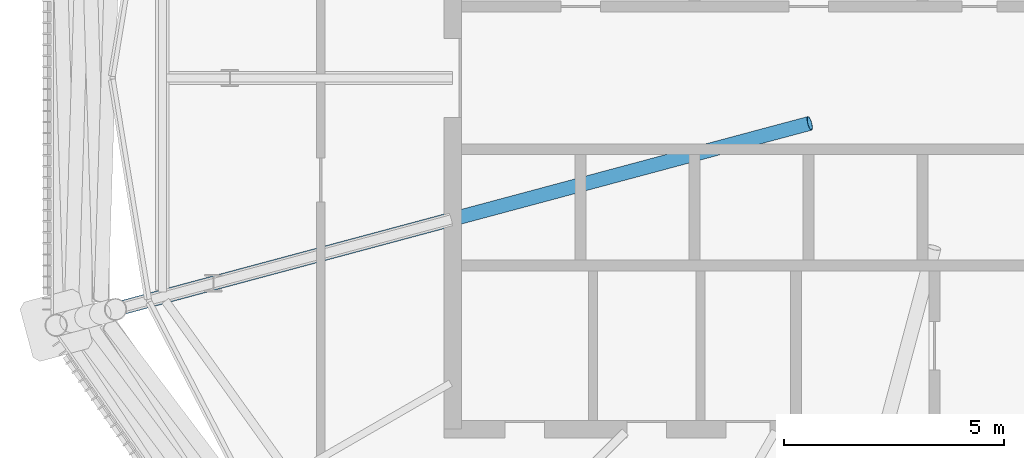
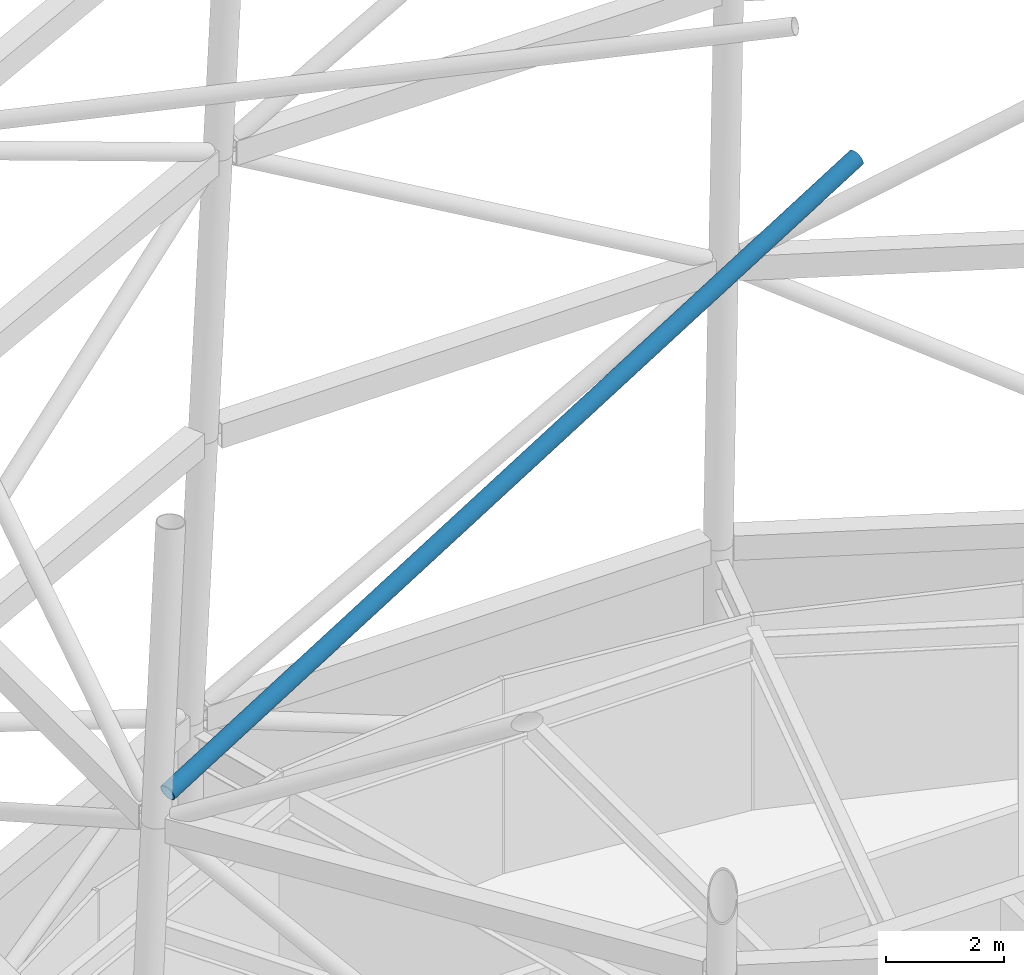
# One storey, part 14 of 71: 1 member.
"""IFC4 building model written with IfcOpenShell, lengths in metres."""

from ifc_helpers import new_model, si_unit, direction, frame, origin, origin_2d, place, context, subcontext, project, spatial, hollow_circle, extrude, material, material_profile, profile_set, type_object, element, save


model = new_model("IFC4")

# Units and contexts
model_context = context("Model", 3, precision=1e-05, world=origin(), true_north=direction((0.0, 1.0)))
body_context = subcontext(model_context, "Body", "Model", "MODEL_VIEW")
ifc_project = project(units=[si_unit("LENGTHUNIT", "METRE"), si_unit("AREAUNIT", "SQUARE_METRE"), si_unit("VOLUMEUNIT", "CUBIC_METRE"), si_unit("PLANEANGLEUNIT", "RADIAN"), si_unit("MASSUNIT", "GRAM", prefix="KILO")], contexts=[model_context])

# Site, building, storey
site_placement = place(None, origin())
site = spatial("IfcSite", under=ifc_project, at=site_placement, CompositionType="ELEMENT")
building_placement = place(site_placement, origin())
building = spatial("IfcBuilding", under=site, at=building_placement, Name="Rimbun Link Towers", CompositionType="ELEMENT")
storey_placement = place(building_placement, frame((0.0, 0.0, 267.60009765625)))
storey = spatial("IfcBuildingStorey", under=building, at=storey_placement, Name="L65", CompositionType="ELEMENT", Elevation=267.60009765625)

# Member
ifc_material = material(Name="Steel S355J2H", Category="steel")
ifc_material_profile = material_profile(ifc_material, hollow_circle(Radius=0.161865234375, WallThickness=0.011962890625, at=origin_2d()), Name="Crown frame brace CHS 324x12")
ifc_profile_set = profile_set([ifc_material_profile], Name="Steel S355J2H")
member_type = type_object("IfcMemberType", Name="Crown frame brace CHS 324x12", PredefinedType="BRACE", material=ifc_profile_set)
member_placement = place(storey_placement, frame((-35.61376953125, -1.035400390625, 27.39990234375), z_axis=(-0.92493329965, -0.247830718588, -0.288233110731), x_axis=(0.258814746101, -0.965926978193, 0.0)))
element("IfcMember", 1, at=member_placement, inside=storey, type_object=member_type, Name="CROWN FRAME hub stay T1 06", PredefinedType="BRACE", context=body_context, shape_type="SweptSolid", body=[
    extrude(hollow_circle(Radius=0.161865234375, WallThickness=0.011962890625, at=origin_2d()), origin(), (0.0, 0.0, 1.0), 17.17333984375),
])

save(model, "model.ifc")
